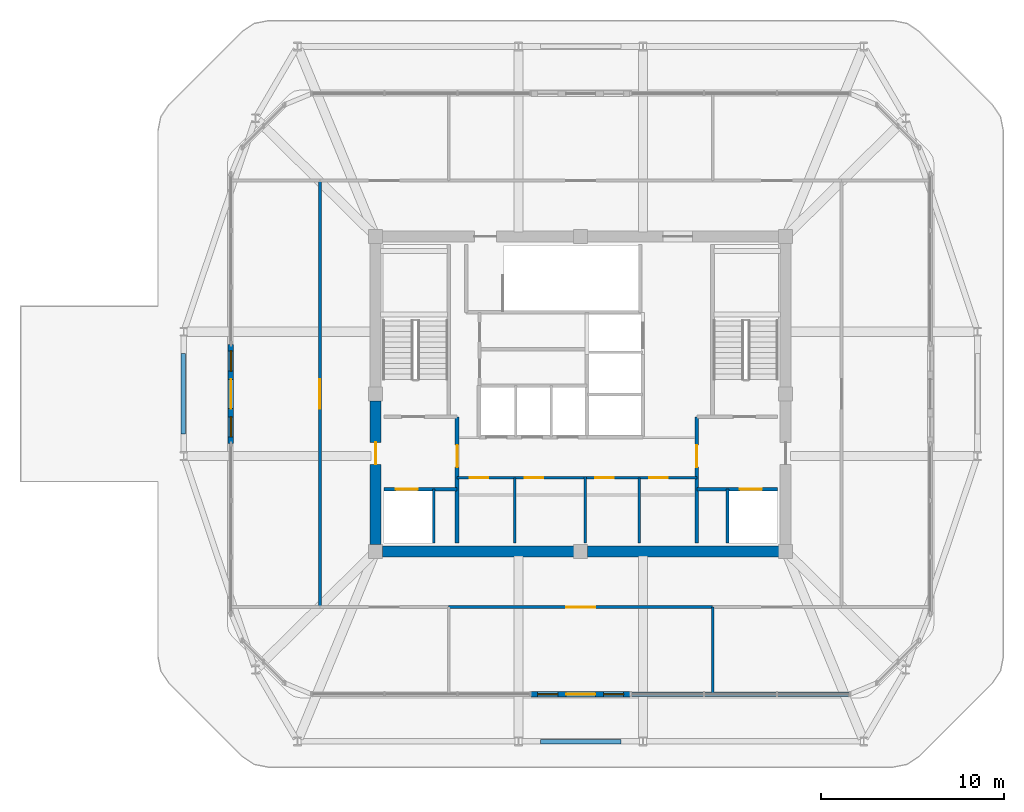
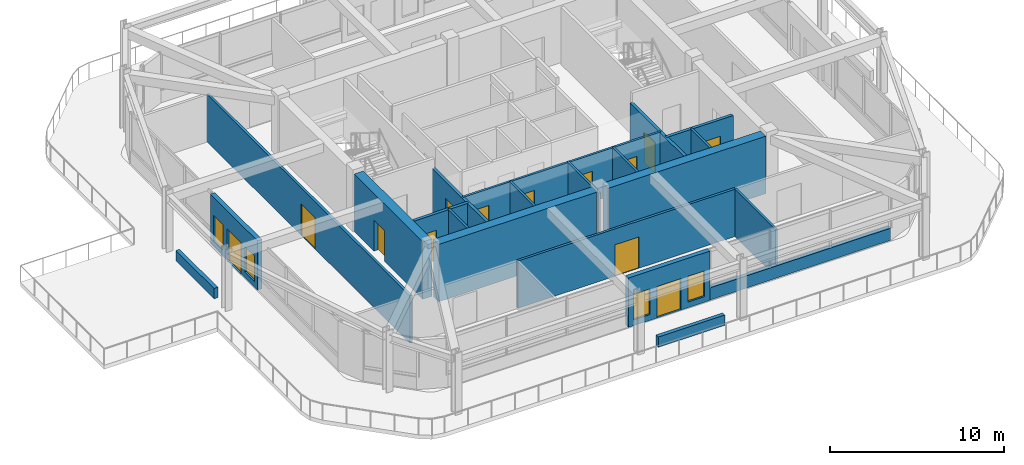
# One storey, part 5 of 10: 22 walls, 13 doors, 4 windows, 17 openings.
"""IFC4 building model written with IfcOpenShell, lengths in metres."""

from ifc_helpers import new_model, si_unit, derived_unit, direction, frame, frame_2d, origin, place, context, subcontext, project, spatial, rectangle, extrude, material, layer, layer_set, type_object, element, fill, save


model = new_model("IFC4")

# Units and contexts
model_context = context("Model", 3, precision=1e-05, world=origin(), true_north=direction((0.0, 1.0)))
body_context = subcontext(model_context, "Body", "Model", "MODEL_VIEW")
ifc_project = project(units=[si_unit("LENGTHUNIT", "METRE"), si_unit("AREAUNIT", "SQUARE_METRE"), si_unit("VOLUMEUNIT", "CUBIC_METRE"), si_unit("PLANEANGLEUNIT", "RADIAN"), si_unit("MASSUNIT", "GRAM", prefix="KILO"), derived_unit("THERMALTRANSMITTANCEUNIT", [(si_unit("POWERUNIT", "WATT"), 1), (si_unit("LENGTHUNIT", "METRE"), -2), (si_unit("THERMODYNAMICTEMPERATUREUNIT", "KELVIN"), -1)])], contexts=[model_context])

# Site, building, storey
site_placement = place(None, origin())
site = spatial("IfcSite", under=ifc_project, at=site_placement, CompositionType="ELEMENT")
building_placement = place(site_placement, origin())
building = spatial("IfcBuilding", under=site, at=building_placement, Name="Koralith Skygarden Medical Center", CompositionType="ELEMENT")
storey_placement = place(building_placement, frame((0.0, 0.0, 294.659912109375)))
storey = spatial("IfcBuildingStorey", under=building, at=storey_placement, Name="L76", CompositionType="ELEMENT", Elevation=294.659912109375)

# Wall, openings, doors
ifc_material_1 = material(Name="Gypsum Board Partition")
ifc_layer_1 = layer(ifc_material_1, 0.14990234375)
ifc_layer_set_1 = layer_set([ifc_layer_1], Name="Gypsum Board Partition")
wall_type_1 = type_object("IfcWallType", Name="Clinical Acoustic Partition 150", PredefinedType="PARTITIONING", material=ifc_layer_set_1)
wall_1_placement = place(storey_placement, frame((30.25, 21.320068359375, 0.0), z_axis=(0.0, 0.0, 1.0), x_axis=(1.0, 0.0, 0.0)))
wall_1 = element("IfcWall", 1, at=wall_1_placement, inside=storey, type_object=wall_type_1, Name="L76 Clinical Acoustic Partition 150 W-CORE-L76-FREED-LR-N", PredefinedType="PARTITIONING", context=body_context, shape_type="SweptSolid", body=[
    extrude(rectangle(XDim=7.0, YDim=0.14990234375, at=frame_2d((3.5, 0.0))), origin(), (0.0, 0.0, 1.0), 3.31005859375),
])
opening_1_placement = place(wall_1_placement, frame((0.699951171875, 0.0, 0.0)))
opening_1 = element("IfcOpeningElement", 2, at=opening_1_placement, cuts=wall_1, Name="Opening D-SUP", PredefinedType="OPENING", context=body_context, shape_type="SweptSolid", body=[
    extrude(rectangle(XDim=1.0, YDim=2.14990234375, at=frame_2d((0.5, 1.074951171875))), frame((0.0, 0.0849609375, 0.0), z_axis=(0.0, -1.0, 0.0), x_axis=(1.0, 0.0, 0.0)), (0.0, 0.0, 1.0), 0.169921875),
])
opening_2_placement = place(wall_1_placement, frame((3.699951171875, 0.0, 0.0)))
opening_2 = element("IfcOpeningElement", 3, at=opening_2_placement, cuts=wall_1, Name="Opening D-SUP", PredefinedType="OPENING", context=body_context, shape_type="SweptSolid", body=[
    extrude(rectangle(XDim=1.0, YDim=2.14990234375, at=frame_2d((0.5, 1.074951171875))), frame((0.0, 0.0849609375, 0.0), z_axis=(0.0, -1.0, 0.0), x_axis=(1.0, 0.0, 0.0)), (0.0, 0.0, 1.0), 0.169921875),
])
ifc_material_2 = material(Name="Aluminium 6063-T6", Category="aluminium")
door_type_1 = type_object("IfcDoorType", Name="Clinical Support Door D-SUP 1000", OperationType="NOTDEFINED", PredefinedType="DOOR", material=ifc_material_2)
door_1_placement = place(opening_1_placement, frame((1.0, 0.0, 0.0), z_axis=(0.0, 0.0, 1.0), x_axis=(-1.0, 0.0, 0.0)))
door_1 = element("IfcDoor", 4, at=door_1_placement, inside=storey, type_object=door_type_1, Name="L76 Medication Preparation Door", OperationType="SINGLE_SWING_LEFT", OverallHeight=2.14990234375, OverallWidth=1.0, PredefinedType="DOOR", context=body_context, shape_type="SweptSolid", body=[
    extrude(rectangle(XDim=1.0, YDim=2.14990234375, at=frame_2d((0.5, 1.074951171875))), frame((0.0, 0.02490234375, 0.0), z_axis=(0.0, -1.0, 0.0), x_axis=(1.0, 0.0, 0.0)), (0.0, 0.0, 1.0), 0.050048828125),
])
fill(opening_1, door_1)
door_2_placement = place(opening_2_placement, frame((1.0, 0.0, 0.0), z_axis=(0.0, 0.0, 1.0), x_axis=(-1.0, 0.0, 0.0)))
door_2 = element("IfcDoor", 5, at=door_2_placement, inside=storey, type_object=door_type_1, Name="L76 Telemetry Room Door", OperationType="SINGLE_SWING_RIGHT", OverallHeight=2.14990234375, OverallWidth=1.0, PredefinedType="DOOR", context=body_context, shape_type="SweptSolid", body=[
    extrude(rectangle(XDim=1.0, YDim=2.14990234375, at=frame_2d((0.5, 1.074951171875))), frame((0.0, 0.02490234375, 0.0), z_axis=(0.0, -1.0, 0.0), x_axis=(1.0, 0.0, 0.0)), (0.0, 0.0, 1.0), 0.050048828125),
])
fill(opening_2, door_2)

# Wall
wall_2_placement = place(storey_placement, frame((33.39990234375, 17.75, 0.0), z_axis=(0.0, 0.0, 1.0), x_axis=(0.0, 1.0, 0.0)))
element("IfcWall", 6, at=wall_2_placement, inside=storey, type_object=wall_type_1, Name="L76 Clinical Acoustic Partition 150 W-CORE-L76-FREED-LR-M", PredefinedType="PARTITIONING", context=body_context, shape_type="SweptSolid", body=[
    extrude(rectangle(XDim=3.570068359375, YDim=0.14990234375, at=frame_2d((1.78515625, 0.0))), origin(), (0.0, 0.0, 1.0), 3.31005859375),
])

# Wall, openings, doors
wall_3_placement = place(storey_placement, frame((37.25, 21.320068359375, 0.0), z_axis=(0.0, 0.0, 1.0), x_axis=(1.0, 0.0, 0.0)))
wall_3 = element("IfcWall", 7, at=wall_3_placement, inside=storey, type_object=wall_type_1, Name="L76 Clinical Acoustic Partition 150 W-CORE-L76-FREED-MR-N", PredefinedType="PARTITIONING", context=body_context, shape_type="SweptSolid", body=[
    extrude(rectangle(XDim=6.10009765625, YDim=0.14990234375, at=frame_2d((3.050048828125, 0.0))), origin(), (0.0, 0.0, 1.0), 3.31005859375),
])
opening_3_placement = place(wall_3_placement, frame((0.550048828125, 0.0, 0.0)))
opening_3 = element("IfcOpeningElement", 8, at=opening_3_placement, cuts=wall_3, Name="Opening D-SUP", PredefinedType="OPENING", context=body_context, shape_type="SweptSolid", body=[
    extrude(rectangle(XDim=1.0, YDim=2.14990234375, at=frame_2d((0.5, 1.074951171875))), frame((0.0, 0.0849609375, 0.0), z_axis=(0.0, -1.0, 0.0), x_axis=(1.0, 0.0, 0.0)), (0.0, 0.0, 1.0), 0.169921875),
])
opening_4_placement = place(wall_3_placement, frame((3.5, 0.0, 0.0)))
opening_4 = element("IfcOpeningElement", 9, at=opening_4_placement, cuts=wall_3, Name="Opening D-SUP", PredefinedType="OPENING", context=body_context, shape_type="SweptSolid", body=[
    extrude(rectangle(XDim=1.0, YDim=2.14990234375, at=frame_2d((0.5, 1.074951171875))), frame((0.0, 0.0849609375, 0.0), z_axis=(0.0, -1.0, 0.0), x_axis=(1.0, 0.0, 0.0)), (0.0, 0.0, 1.0), 0.169921875),
])
door_3_placement = place(opening_3_placement, frame((1.0, 0.0, 0.0), z_axis=(0.0, 0.0, 1.0), x_axis=(-1.0, 0.0, 0.0)))
door_3 = element("IfcDoor", 10, at=door_3_placement, inside=storey, type_object=door_type_1, Name="L76 Satellite Pharmacy Door", OperationType="SINGLE_SWING_LEFT", OverallHeight=2.14990234375, OverallWidth=1.0, PredefinedType="DOOR", context=body_context, shape_type="SweptSolid", body=[
    extrude(rectangle(XDim=1.0, YDim=2.14990234375, at=frame_2d((0.5, 1.074951171875))), frame((0.0, 0.02490234375, 0.0), z_axis=(0.0, -1.0, 0.0), x_axis=(1.0, 0.0, 0.0)), (0.0, 0.0, 1.0), 0.050048828125),
])
fill(opening_3, door_3)
door_4_placement = place(opening_4_placement, frame((1.0, 0.0, 0.0), z_axis=(0.0, 0.0, 1.0), x_axis=(-1.0, 0.0, 0.0)))
door_4 = element("IfcDoor", 11, at=door_4_placement, inside=storey, type_object=door_type_1, Name="L76 Biomedical Equipment Door", OperationType="SINGLE_SWING_RIGHT", OverallHeight=2.14990234375, OverallWidth=1.0, PredefinedType="DOOR", context=body_context, shape_type="SweptSolid", body=[
    extrude(rectangle(XDim=1.0, YDim=2.14990234375, at=frame_2d((0.5, 1.074951171875))), frame((0.0, 0.02490234375, 0.0), z_axis=(0.0, -1.0, 0.0), x_axis=(1.0, 0.0, 0.0)), (0.0, 0.0, 1.0), 0.050048828125),
])
fill(opening_4, door_4)

# Walls
wall_4_placement = place(storey_placement, frame((40.199951171875, 17.75, 0.0), z_axis=(0.0, 0.0, 1.0), x_axis=(0.0, 1.0, 0.0)))
element("IfcWall", 12, at=wall_4_placement, inside=storey, type_object=wall_type_1, Name="L76 Clinical Acoustic Partition 150 W-CORE-L76-FREED-MR-M", PredefinedType="PARTITIONING", context=body_context, shape_type="SweptSolid", body=[
    extrude(rectangle(XDim=3.570068359375, YDim=0.14990234375, at=frame_2d((1.78515625, 0.0))), origin(), (0.0, 0.0, 1.0), 3.31005859375),
])
wall_5_placement = place(storey_placement, frame((44.2119140625, 14.25, 0.0), z_axis=(0.0, 0.0, 1.0), x_axis=(0.0, -1.0, 0.0)))
element("IfcWall", 13, at=wall_5_placement, inside=storey, type_object=wall_type_1, Name="L76 Clinical Acoustic Partition 150 W-CRPART-L76-S-2", PredefinedType="PARTITIONING", context=body_context, shape_type="SweptSolid", body=[
    extrude(rectangle(XDim=4.72998046875, YDim=0.14990234375, at=frame_2d((2.364990234375, 0.0))), origin(), (0.0, 0.0, 1.0), 3.31005859375),
])

# Wall, opening, door
ifc_layer_2 = layer(ifc_material_1, 0.1650390625)
ifc_layer_set_2 = layer_set([ifc_layer_2], Name="Gypsum Board Partition")
wall_type_2 = type_object("IfcWallType", Name="Clinical Corridor Partition 165", PredefinedType="PARTITIONING", material=ifc_layer_set_2)
wall_6_placement = place(storey_placement, frame((29.7880859375, 14.25, 0.0), z_axis=(0.0, 0.0, 1.0), x_axis=(1.0, 0.0, 0.0)))
wall_6 = element("IfcWall", 14, at=wall_6_placement, inside=storey, type_object=wall_type_2, Name="L76 Clinical Corridor Partition 165 W-CRCOR-L76-S-2", PredefinedType="PARTITIONING", context=body_context, shape_type="SweptSolid", body=[
    extrude(rectangle(XDim=14.423828125, YDim=0.1650390625, at=frame_2d((7.2119140625, 0.0))), origin(), (0.0, 0.0, 1.0), 3.31005859375),
])
opening_5_placement = place(wall_6_placement, frame((6.412109375, 0.0, 0.0)))
opening_5 = element("IfcOpeningElement", 15, at=opening_5_placement, cuts=wall_6, Name="Opening D-DBL", PredefinedType="OPENING", context=body_context, shape_type="SweptSolid", body=[
    extrude(rectangle(XDim=1.60009765625, YDim=2.199951171875, at=frame_2d((0.800048828125, 1.10009765625))), frame((0.0, 0.092529296875, 0.0), z_axis=(0.0, -1.0, 0.0), x_axis=(1.0, 0.0, 0.0)), (0.0, 0.0, 1.0), 0.18505859375),
])
door_type_2 = type_object("IfcDoorType", Name="Double Clinical Suite Door D-DBL 1600", OperationType="NOTDEFINED", PredefinedType="DOOR", material=ifc_material_2)
door_5_placement = place(opening_5_placement, frame((1.60009765625, 0.0, 0.0), z_axis=(0.0, 0.0, 1.0), x_axis=(-1.0, 0.0, 0.0)))
door_5 = element("IfcDoor", 16, at=door_5_placement, inside=storey, type_object=door_type_2, Name="L76 Observation Concierge and Reception Hall Door", OperationType="DOUBLE_DOOR_SINGLE_SWING", OverallHeight=2.199951171875, OverallWidth=1.60009765625, PredefinedType="DOOR", context=body_context, shape_type="SweptSolid", body=[
    extrude(rectangle(XDim=1.60009765625, YDim=2.199951171875, at=frame_2d((0.800048828125, 1.10009765625))), frame((0.0, 0.02490234375, 0.0), z_axis=(0.0, -1.0, 0.0), x_axis=(1.0, 0.0, 0.0)), (0.0, 0.0, 1.0), 0.050048828125),
])
fill(opening_5, door_5)

wall_7_placement = place(storey_placement, frame((22.75, 14.25, 0.0), z_axis=(0.0, 0.0, 1.0), x_axis=(0.0, 1.0, 0.0)))
wall_7 = element("IfcWall", 17, at=wall_7_placement, inside=storey, type_object=wall_type_2, Name="L76 Clinical Corridor Partition 165 W-CRCOR-L76-W-1", PredefinedType="PARTITIONING", context=body_context, shape_type="SweptSolid", body=[
    extrude(rectangle(XDim=23.300048828125, YDim=0.1650390625, at=frame_2d((11.64990234375, 0.0))), origin(), (0.0, 0.0, 1.0), 3.31005859375),
])
opening_6_placement = place(wall_7_placement, frame((10.85009765625, 0.0, 0.0)))
opening_6 = element("IfcOpeningElement", 18, at=opening_6_placement, cuts=wall_7, Name="Opening D-DBL", PredefinedType="OPENING", context=body_context, shape_type="SweptSolid", body=[
    extrude(rectangle(XDim=1.60009765625, YDim=2.199951171875, at=frame_2d((0.800048828125, 1.10009765625))), frame((0.0, 0.092529296875, 0.0), z_axis=(0.0, -1.0, 0.0), x_axis=(1.0, 0.0, 0.0)), (0.0, 0.0, 1.0), 0.18505859375),
])
door_6_placement = place(opening_6_placement, frame((1.60009765625, 0.0, 0.0), z_axis=(0.0, 0.0, 1.0), x_axis=(-1.0, 0.0, 0.0)))
door_6 = element("IfcDoor", 19, at=door_6_placement, inside=storey, type_object=door_type_2, Name="L76 West Horizon Lookout Lounge Door", OperationType="DOUBLE_DOOR_SINGLE_SWING", OverallHeight=2.199951171875, OverallWidth=1.60009765625, PredefinedType="DOOR", context=body_context, shape_type="SweptSolid", body=[
    extrude(rectangle(XDim=1.60009765625, YDim=2.199951171875, at=frame_2d((0.800048828125, 1.10009765625))), frame((0.0, 0.02490234375, 0.0), z_axis=(0.0, -1.0, 0.0), x_axis=(1.0, 0.0, 0.0)), (0.0, 0.0, 1.0), 0.050048828125),
])
fill(opening_6, door_6)

ifc_layer_3 = layer(ifc_material_1, 0.199951171875)
ifc_layer_set_3 = layer_set([ifc_layer_3], Name="Gypsum Board Partition")
wall_type_3 = type_object("IfcWallType", Name="Fire Shaft Wall 200", PredefinedType="SOLIDWALL", material=ifc_layer_set_3)
wall_8_placement = place(storey_placement, frame((26.25, 20.699951171875, 0.0), z_axis=(0.0, 0.0, 1.0), x_axis=(1.0, 0.0, 0.0)))
wall_8 = element("IfcWall", 20, at=wall_8_placement, inside=storey, type_object=wall_type_3, Name="L76 Fire Shaft Wall 200 W-CORE-L76-FF1-N", PredefinedType="SOLIDWALL", context=body_context, shape_type="SweptSolid", body=[
    extrude(rectangle(XDim=4.0, YDim=0.199951171875, at=frame_2d((2.0, 0.0))), origin(), (0.0, 0.0, 1.0), 3.31005859375),
])
opening_7_placement = place(wall_8_placement, frame((0.64990234375, 0.0, 0.0)))
opening_7 = element("IfcOpeningElement", 21, at=opening_7_placement, cuts=wall_8, Name="Opening LD-FF", PredefinedType="OPENING", context=body_context, shape_type="SweptSolid", body=[
    extrude(rectangle(XDim=1.199951171875, YDim=2.14990234375, at=frame_2d((0.60009765625, 1.074951171875))), frame((0.0, 0.10986328125, 0.0), z_axis=(0.0, -1.0, 0.0), x_axis=(1.0, 0.0, 0.0)), (0.0, 0.0, 1.0), 0.219970703125),
])
ifc_material_3 = material(Name="Steel ASTM A500 Grade C", Category="steel")
door_type_3 = type_object("IfcDoorType", Name="Fire Lift Sliding Landing Door LD-FF 1200", OperationType="NOTDEFINED", PredefinedType="DOOR", material=ifc_material_3)
door_7_placement = place(opening_7_placement, origin())
door_7 = element("IfcDoor", 22, at=door_7_placement, inside=storey, type_object=door_type_3, Name="L76 Fire Service Elevator FF1 Landing Door", OperationType="SLIDING_TO_LEFT", OverallHeight=2.14990234375, OverallWidth=1.199951171875, PredefinedType="DOOR", context=body_context, shape_type="SweptSolid", body=[
    extrude(rectangle(XDim=1.199951171875, YDim=2.14990234375, at=frame_2d((0.60009765625, 1.074951171875))), frame((0.0, 0.02490234375, 0.0), z_axis=(0.0, -1.0, 0.0), x_axis=(1.0, 0.0, 0.0)), (0.0, 0.0, 1.0), 0.050048828125),
])
fill(opening_7, door_7)

wall_9_placement = place(storey_placement, frame((30.25, 17.75, 0.0), z_axis=(0.0, 0.0, 1.0), x_axis=(0.0, 1.0, 0.0)))
wall_9 = element("IfcWall", 23, at=wall_9_placement, inside=storey, type_object=wall_type_3, Name="L76 Fire Shaft Wall 200 W-CORE-L76-FSAEW-E", PredefinedType="SOLIDWALL", context=body_context, shape_type="SweptSolid", body=[
    extrude(rectangle(XDim=6.89990234375, YDim=0.199951171875, at=frame_2d((3.449951171875, 0.0))), origin(), (0.0, 0.0, 1.0), 3.31005859375),
])
opening_8_placement = place(wall_9_placement, frame((4.14990234375, 0.0, 0.0)))
opening_8 = element("IfcOpeningElement", 24, at=opening_8_placement, cuts=wall_9, Name="Opening D-ST60", PredefinedType="OPENING", context=body_context, shape_type="SweptSolid", body=[
    extrude(rectangle(XDim=1.199951171875, YDim=2.14990234375, at=frame_2d((0.60009765625, 1.074951171875))), frame((0.0, 0.10986328125, 0.0), z_axis=(0.0, -1.0, 0.0), x_axis=(1.0, 0.0, 0.0)), (0.0, 0.0, 1.0), 0.219970703125),
])
door_type_4 = type_object("IfcDoorType", Name="Smokeproof Stair Fire Door FD60S 1200", OperationType="NOTDEFINED", PredefinedType="DOOR", material=ifc_material_3)
door_8_placement = place(opening_8_placement, origin())
door_8 = element("IfcDoor", 25, at=door_8_placement, inside=storey, type_object=door_type_4, Name="L76 West Firefighting Lobby Inner Fire Door", OperationType="SINGLE_SWING_LEFT", OverallHeight=2.14990234375, OverallWidth=1.199951171875, PredefinedType="DOOR", context=body_context, shape_type="SweptSolid", body=[
    extrude(rectangle(XDim=1.199951171875, YDim=2.14990234375, at=frame_2d((0.60009765625, 1.074951171875))), frame((0.0, 0.02490234375, 0.0), z_axis=(0.0, -1.0, 0.0), x_axis=(1.0, 0.0, 0.0)), (0.0, 0.0, 1.0), 0.050048828125),
])
fill(opening_8, door_8)

wall_10_placement = place(storey_placement, frame((43.35009765625, 20.699951171875, 0.0), z_axis=(0.0, 0.0, 1.0), x_axis=(1.0, 0.0, 0.0)))
wall_10 = element("IfcWall", 26, at=wall_10_placement, inside=storey, type_object=wall_type_3, Name="L76 Fire Shaft Wall 200 W-CORE-L76-FF2-N", PredefinedType="SOLIDWALL", context=body_context, shape_type="SweptSolid", body=[
    extrude(rectangle(XDim=4.39990234375, YDim=0.199951171875, at=frame_2d((2.199951171875, 0.0))), origin(), (0.0, 0.0, 1.0), 3.31005859375),
])
opening_9_placement = place(wall_10_placement, frame((2.35009765625, 0.0, 0.0)))
opening_9 = element("IfcOpeningElement", 27, at=opening_9_placement, cuts=wall_10, Name="Opening LD-FF", PredefinedType="OPENING", context=body_context, shape_type="SweptSolid", body=[
    extrude(rectangle(XDim=1.199951171875, YDim=2.14990234375, at=frame_2d((0.60009765625, 1.074951171875))), frame((0.0, 0.10986328125, 0.0), z_axis=(0.0, -1.0, 0.0), x_axis=(1.0, 0.0, 0.0)), (0.0, 0.0, 1.0), 0.219970703125),
])
door_9_placement = place(opening_9_placement, origin())
door_9 = element("IfcDoor", 28, at=door_9_placement, inside=storey, type_object=door_type_3, Name="L76 Fire Service Elevator FF2 Landing Door", OperationType="SLIDING_TO_RIGHT", OverallHeight=2.14990234375, OverallWidth=1.199951171875, PredefinedType="DOOR", context=body_context, shape_type="SweptSolid", body=[
    extrude(rectangle(XDim=1.199951171875, YDim=2.14990234375, at=frame_2d((0.60009765625, 1.074951171875))), frame((0.0, 0.02490234375, 0.0), z_axis=(0.0, -1.0, 0.0), x_axis=(1.0, 0.0, 0.0)), (0.0, 0.0, 1.0), 0.050048828125),
])
fill(opening_9, door_9)

wall_11_placement = place(storey_placement, frame((43.35009765625, 17.75, 0.0), z_axis=(0.0, 0.0, 1.0), x_axis=(0.0, 1.0, 0.0)))
wall_11 = element("IfcWall", 29, at=wall_11_placement, inside=storey, type_object=wall_type_3, Name="L76 Fire Shaft Wall 200 W-CORE-L76-FSAEE-W", PredefinedType="SOLIDWALL", context=body_context, shape_type="SweptSolid", body=[
    extrude(rectangle(XDim=6.89990234375, YDim=0.199951171875, at=frame_2d((3.449951171875, 0.0))), origin(), (0.0, 0.0, 1.0), 3.31005859375),
])
opening_10_placement = place(wall_11_placement, frame((4.14990234375, 0.0, 0.0)))
opening_10 = element("IfcOpeningElement", 30, at=opening_10_placement, cuts=wall_11, Name="Opening D-ST60", PredefinedType="OPENING", context=body_context, shape_type="SweptSolid", body=[
    extrude(rectangle(XDim=1.199951171875, YDim=2.14990234375, at=frame_2d((0.60009765625, 1.074951171875))), frame((0.0, 0.10986328125, 0.0), z_axis=(0.0, -1.0, 0.0), x_axis=(1.0, 0.0, 0.0)), (0.0, 0.0, 1.0), 0.219970703125),
])
door_10_placement = place(opening_10_placement, frame((1.199951171875, 0.0, 0.0), z_axis=(0.0, 0.0, 1.0), x_axis=(-1.0, 0.0, 0.0)))
door_10 = element("IfcDoor", 31, at=door_10_placement, inside=storey, type_object=door_type_4, Name="L76 East Firefighting Lobby Inner Fire Door", OperationType="SINGLE_SWING_RIGHT", OverallHeight=2.14990234375, OverallWidth=1.199951171875, PredefinedType="DOOR", context=body_context, shape_type="SweptSolid", body=[
    extrude(rectangle(XDim=1.199951171875, YDim=2.14990234375, at=frame_2d((0.60009765625, 1.074951171875))), frame((0.0, 0.02490234375, 0.0), z_axis=(0.0, -1.0, 0.0), x_axis=(1.0, 0.0, 0.0)), (0.0, 0.0, 1.0), 0.050048828125),
])
fill(opening_10, door_10)

# Wall
ifc_material_4 = material(Name="Warm Oolitic Limestone Cladding", Category="masonry")
ifc_layer_4 = layer(ifc_material_4, 0.239990234375)
ifc_layer_set_4 = layer_set([ifc_layer_4], Name="Warm Oolitic Limestone Cladding")
wall_type_4 = type_object("IfcWallType", Name="Limestone Spandrel Sill Backup Wall 240", PredefinedType="SOLIDWALL", material=ifc_layer_set_4)
wall_12_placement = place(storey_placement, frame((39.739990234375, 9.5, 0.0), z_axis=(0.0, 0.0, 1.0), x_axis=(1.0, 0.0, 0.0)))
element("IfcWall", 32, at=wall_12_placement, inside=storey, type_object=wall_type_4, Name="L76 Sill Spandrel S-R", PredefinedType="SOLIDWALL", context=body_context, shape_type="SweptSolid", body=[
    extrude(rectangle(XDim=11.967041015625, YDim=0.239990234375, at=frame_2d((5.9833984375, 0.0))), origin(), (0.0, 0.0, 1.0), 0.85009765625),
])

# Wall, openings, door, windows
ifc_layer_5 = layer(ifc_material_4, 0.300048828125)
ifc_layer_set_5 = layer_set([ifc_layer_5], Name="Warm Oolitic Limestone Cladding")
wall_type_5 = type_object("IfcWallType", Name="Oolitic Limestone Insulated Facade Wall 300", PredefinedType="SOLIDWALL", material=ifc_layer_set_5)
wall_13_placement = place(storey_placement, frame((34.300048828125, 9.5, 0.0), z_axis=(0.0, 0.0, 1.0), x_axis=(1.0, 0.0, 0.0)))
wall_13 = element("IfcWall", 33, at=wall_13_placement, inside=storey, type_object=wall_type_5, Name="L76 Terrace Portal Wall S", PredefinedType="SOLIDWALL", context=body_context, shape_type="SweptSolid", body=[
    extrude(rectangle(XDim=5.39990234375, YDim=0.300048828125, at=frame_2d((2.699951171875, 0.0))), origin(), (0.0, 0.0, 1.0), 3.460205078125),
])
opening_11_placement = place(wall_13_placement, frame((1.89990234375, 0.0, 0.0)))
opening_11 = element("IfcOpeningElement", 34, at=opening_11_placement, cuts=wall_13, Name="Opening D-OBS", PredefinedType="OPENING", context=body_context, shape_type="SweptSolid", body=[
    extrude(rectangle(XDim=1.60009765625, YDim=2.199951171875, at=frame_2d((0.800048828125, 1.10009765625))), frame((0.0, 0.159912109375, 0.0), z_axis=(0.0, -1.0, 0.0), x_axis=(1.0, 0.0, 0.0)), (0.0, 0.0, 1.0), 0.320068359375),
])
opening_12_placement = place(wall_13_placement, frame((0.35009765625, 0.0, 0.39990234375)))
opening_12 = element("IfcOpeningElement", 35, at=opening_12_placement, cuts=wall_13, Name="Opening W-04", PredefinedType="OPENING", context=body_context, shape_type="SweptSolid", body=[
    extrude(rectangle(XDim=1.10009765625, YDim=1.800048828125, at=frame_2d((0.550048828125, 0.89990234375))), frame((0.0, 0.159912109375, 0.0), z_axis=(0.0, -1.0, 0.0), x_axis=(1.0, 0.0, 0.0)), (0.0, 0.0, 1.0), 0.320068359375),
])
opening_13_placement = place(wall_13_placement, frame((3.949951171875, 0.0, 0.39990234375)))
opening_13 = element("IfcOpeningElement", 36, at=opening_13_placement, cuts=wall_13, Name="Opening W-04", PredefinedType="OPENING", context=body_context, shape_type="SweptSolid", body=[
    extrude(rectangle(XDim=1.10009765625, YDim=1.800048828125, at=frame_2d((0.550048828125, 0.89990234375))), frame((0.0, 0.159912109375, 0.0), z_axis=(0.0, -1.0, 0.0), x_axis=(1.0, 0.0, 0.0)), (0.0, 0.0, 1.0), 0.320068359375),
])
door_type_5 = type_object("IfcDoorType", Name="Observation Deck Terrace Door D-OBS 1600", OperationType="NOTDEFINED", PredefinedType="DOOR", material=ifc_material_2)
door_11_placement = place(opening_11_placement, origin())
door_11 = element("IfcDoor", 37, at=door_11_placement, inside=storey, type_object=door_type_5, Name="L76 S Outdoor Terrace Access Door", OperationType="DOUBLE_DOOR_SINGLE_SWING", OverallHeight=2.199951171875, OverallWidth=1.60009765625, PredefinedType="DOOR", context=body_context, shape_type="SweptSolid", body=[
    extrude(rectangle(XDim=1.60009765625, YDim=2.199951171875, at=frame_2d((0.800048828125, 1.10009765625))), frame((0.0, 0.02490234375, 0.0), z_axis=(0.0, -1.0, 0.0), x_axis=(1.0, 0.0, 0.0)), (0.0, 0.0, 1.0), 0.050048828125),
])
fill(opening_11, door_11)
ifc_material_5 = material(Name="Clear Laminated Glass", Category="glass")
window_type = type_object("IfcWindowType", Name="Sky-Garden Portal Sidelight Window W-04 1100x1800", PartitioningType="SINGLE_PANEL", PredefinedType="WINDOW", material=ifc_material_5)
window_1_placement = place(opening_12_placement, origin())
window_1 = element("IfcWindow", 38, at=window_1_placement, inside=storey, type_object=window_type, Name="L76 S Portal Sidelight 1", OverallHeight=1.800048828125, OverallWidth=1.10009765625, PartitioningType="SINGLE_PANEL", PredefinedType="WINDOW", context=body_context, shape_type="SweptSolid", body=[
    extrude(rectangle(XDim=1.10009765625, YDim=1.800048828125, at=frame_2d((0.550048828125, 0.89990234375))), frame((0.0, 0.030029296875, 0.0), z_axis=(0.0, -1.0, 0.0), x_axis=(1.0, 0.0, 0.0)), (0.0, 0.0, 1.0), 0.06005859375),
])
fill(opening_12, window_1)
window_2_placement = place(opening_13_placement, origin())
window_2 = element("IfcWindow", 39, at=window_2_placement, inside=storey, type_object=window_type, Name="L76 S Portal Sidelight 2", OverallHeight=1.800048828125, OverallWidth=1.10009765625, PartitioningType="SINGLE_PANEL", PredefinedType="WINDOW", context=body_context, shape_type="SweptSolid", body=[
    extrude(rectangle(XDim=1.10009765625, YDim=1.800048828125, at=frame_2d((0.550048828125, 0.89990234375))), frame((0.0, 0.030029296875, 0.0), z_axis=(0.0, -1.0, 0.0), x_axis=(1.0, 0.0, 0.0)), (0.0, 0.0, 1.0), 0.06005859375),
])
fill(opening_13, window_2)

wall_14_placement = place(storey_placement, frame((17.89990234375, 28.60009765625, 0.0), z_axis=(0.0, 0.0, 1.0), x_axis=(0.0, -1.0, 0.0)))
wall_14 = element("IfcWall", 40, at=wall_14_placement, inside=storey, type_object=wall_type_5, Name="L76 Terrace Portal Wall W", PredefinedType="SOLIDWALL", context=body_context, shape_type="SweptSolid", body=[
    extrude(rectangle(XDim=5.400146484375, YDim=0.300048828125, at=frame_2d((2.7001953125, 0.0))), origin(), (0.0, 0.0, 1.0), 3.460205078125),
])
opening_14_placement = place(wall_14_placement, frame((1.89990234375, 0.0, 0.0)))
opening_14 = element("IfcOpeningElement", 41, at=opening_14_placement, cuts=wall_14, Name="Opening D-OBS", PredefinedType="OPENING", context=body_context, shape_type="SweptSolid", body=[
    extrude(rectangle(XDim=1.60009765625, YDim=2.199951171875, at=frame_2d((0.800048828125, 1.10009765625))), frame((0.0, 0.159912109375, 0.0), z_axis=(0.0, -1.0, 0.0), x_axis=(1.0, 0.0, 0.0)), (0.0, 0.0, 1.0), 0.320068359375),
])
opening_15_placement = place(wall_14_placement, frame((0.35009765625, 0.0, 0.39990234375)))
opening_15 = element("IfcOpeningElement", 42, at=opening_15_placement, cuts=wall_14, Name="Opening W-04", PredefinedType="OPENING", context=body_context, shape_type="SweptSolid", body=[
    extrude(rectangle(XDim=1.10009765625, YDim=1.800048828125, at=frame_2d((0.550048828125, 0.89990234375))), frame((0.0, 0.159912109375, 0.0), z_axis=(0.0, -1.0, 0.0), x_axis=(1.0, 0.0, 0.0)), (0.0, 0.0, 1.0), 0.320068359375),
])
opening_16_placement = place(wall_14_placement, frame((3.949951171875, 0.0, 0.39990234375)))
opening_16 = element("IfcOpeningElement", 43, at=opening_16_placement, cuts=wall_14, Name="Opening W-04", PredefinedType="OPENING", context=body_context, shape_type="SweptSolid", body=[
    extrude(rectangle(XDim=1.10009765625, YDim=1.800048828125, at=frame_2d((0.550048828125, 0.89990234375))), frame((0.0, 0.159912109375, 0.0), z_axis=(0.0, -1.0, 0.0), x_axis=(1.0, 0.0, 0.0)), (0.0, 0.0, 1.0), 0.320068359375),
])
door_12_placement = place(opening_14_placement, origin())
door_12 = element("IfcDoor", 44, at=door_12_placement, inside=storey, type_object=door_type_5, Name="L76 W Outdoor Terrace Access Door", OperationType="DOUBLE_DOOR_SINGLE_SWING", OverallHeight=2.199951171875, OverallWidth=1.60009765625, PredefinedType="DOOR", context=body_context, shape_type="SweptSolid", body=[
    extrude(rectangle(XDim=1.60009765625, YDim=2.199951171875, at=frame_2d((0.800048828125, 1.10009765625))), frame((0.0, 0.02490234375, 0.0), z_axis=(0.0, -1.0, 0.0), x_axis=(1.0, 0.0, 0.0)), (0.0, 0.0, 1.0), 0.050048828125),
])
fill(opening_14, door_12)
window_3_placement = place(opening_15_placement, origin())
window_3 = element("IfcWindow", 45, at=window_3_placement, inside=storey, type_object=window_type, Name="L76 W Portal Sidelight 1", OverallHeight=1.800048828125, OverallWidth=1.10009765625, PartitioningType="SINGLE_PANEL", PredefinedType="WINDOW", context=body_context, shape_type="SweptSolid", body=[
    extrude(rectangle(XDim=1.10009765625, YDim=1.800048828125, at=frame_2d((0.550048828125, 0.89990234375))), frame((0.0, 0.030029296875, 0.0), z_axis=(0.0, -1.0, 0.0), x_axis=(1.0, 0.0, 0.0)), (0.0, 0.0, 1.0), 0.06005859375),
])
fill(opening_15, window_3)
window_4_placement = place(opening_16_placement, origin())
window_4 = element("IfcWindow", 46, at=window_4_placement, inside=storey, type_object=window_type, Name="L76 W Portal Sidelight 2", OverallHeight=1.800048828125, OverallWidth=1.10009765625, PartitioningType="SINGLE_PANEL", PredefinedType="WINDOW", context=body_context, shape_type="SweptSolid", body=[
    extrude(rectangle(XDim=1.10009765625, YDim=1.800048828125, at=frame_2d((0.550048828125, 0.89990234375))), frame((0.0, 0.030029296875, 0.0), z_axis=(0.0, -1.0, 0.0), x_axis=(1.0, 0.0, 0.0)), (0.0, 0.0, 1.0), 0.06005859375),
])
fill(opening_16, window_4)

# Walls
ifc_layer_6 = layer(ifc_material_1, 0.14990234375)
ifc_layer_set_6 = layer_set([ifc_layer_6], Name="Gypsum Board Partition")
wall_type_6 = type_object("IfcWallType", Name="Shaft Partition Wall 150", PredefinedType="PARTITIONING", material=ifc_layer_set_6)
for number, where, z_axis, x_axis, name in (
    (47, (28.969970703125, 17.75, 0.0), (0.0, 0.0, 1.0), (0.0, 1.0, 0.0), "L76 Shaft Partition Wall 150 W-CORE-L76-RSRW-DIV"),
    (48, (45.02001953125, 17.75, 0.0), (0.0, 0.0, 1.0), (0.0, 1.0, 0.0), "L76 Shaft Partition Wall 150 W-CORE-L76-RSRE-DIV"),
):
    element("IfcWall", number, at=place(storey_placement, frame(where, z_axis=z_axis, x_axis=x_axis)), inside=storey, type_object=wall_type_6, Name=name, PredefinedType="PARTITIONING", context=body_context, shape_type="SweptSolid", body=[
        extrude(rectangle(XDim=2.949951171875, YDim=0.14990234375, at=frame_2d((1.47509765625, 0.0))), origin(), (0.0, 0.0, 1.0), 3.31005859375),
    ])
wall_15_placement = place(storey_placement, frame((37.25, 17.75, 0.0), z_axis=(0.0, 0.0, 1.0), x_axis=(0.0, 1.0, 0.0)))
element("IfcWall", 49, at=wall_15_placement, inside=storey, type_object=wall_type_6, Name="L76 Shaft Partition Wall 150 W-CORE-L76-PL-PM-SEP", PredefinedType="PARTITIONING", context=body_context, shape_type="SweptSolid", body=[
    extrude(rectangle(XDim=3.64990234375, YDim=0.14990234375, at=frame_2d((1.824951171875, 0.0))), origin(), (0.0, 0.0, 1.0), 3.31005859375),
])
ifc_material_6 = material(Name="Precast concrete C40/50", Category="concrete")
ifc_layer_7 = layer(ifc_material_6, 0.25)
ifc_layer_set_7 = layer_set([ifc_layer_7], Name="Precast concrete C40/50")
wall_type_7 = type_object("IfcWallType", Name="Structural Concrete Balcony Planter Kerb 250", PredefinedType="PARAPET", material=ifc_layer_set_7)
wall_16_placement = place(storey_placement, frame((34.800048828125, 6.89990234375, 0.0), z_axis=(0.0, 0.0, 1.0), x_axis=(1.0, 0.0, 0.0)))
element("IfcWall", 50, at=wall_16_placement, inside=storey, type_object=wall_type_7, Name="L76 Observation Deck Tree PLANTER S", PredefinedType="PARAPET", context=body_context, shape_type="SweptSolid", body=[
    extrude(rectangle(XDim=4.39990234375, YDim=0.25, at=frame_2d((2.199951171875, 0.0))), origin(), (0.0, 0.0, 1.0), 0.719970703125),
])
wall_17_placement = place(storey_placement, frame((15.300048828125, 28.10009765625, 0.0), z_axis=(0.0, 0.0, 1.0), x_axis=(0.0, -1.0, 0.0)))
element("IfcWall", 51, at=wall_17_placement, inside=storey, type_object=wall_type_7, Name="L76 Observation Deck Tree PLANTER W", PredefinedType="PARAPET", context=body_context, shape_type="SweptSolid", body=[
    extrude(rectangle(XDim=4.400146484375, YDim=0.25, at=frame_2d((2.2001953125, 0.0))), origin(), (0.0, 0.0, 1.0), 0.719970703125),
])
ifc_material_7 = material(Name="Concrete C55/67", Category="concrete")
ifc_layer_8 = layer(ifc_material_7, 0.60009765625)
ifc_layer_set_8 = layer_set([ifc_layer_8], Name="Concrete C55/67")
wall_type_8 = type_object("IfcWallType", Name="Upper Core Shear Wall 600", PredefinedType="SHEAR", material=ifc_layer_set_8)
for number, where, z_axis, x_axis, name in (
    (52, (26.175048828125, 17.300048828125, 0.0), (0.0, 0.0, 1.0), (1.0, 0.0, 0.0), "L76 Core Shear Wall Segment 1"),
    (53, (37.375, 17.300048828125, 0.0), (0.0, 0.0, 1.0), (1.0, 0.0, 0.0), "L76 Core Shear Wall Segment 2"),
):
    element("IfcWall", number, at=place(storey_placement, frame(where, z_axis=z_axis, x_axis=x_axis)), inside=storey, type_object=wall_type_8, Name=name, PredefinedType="SHEAR", context=body_context, shape_type="SweptSolid", body=[
        extrude(rectangle(XDim=10.449951171875, YDim=0.60009765625, at=frame_2d((5.22509765625, 0.0))), origin(), (0.0, 0.0, 1.0), 4.02001953125),
    ])

# Wall, opening, door
wall_18_placement = place(storey_placement, frame((25.800048828125, 25.52490234375, 0.0), z_axis=(0.0, 0.0, 1.0), x_axis=(0.0, -1.0, 0.0)))
wall_18 = element("IfcWall", 54, at=wall_18_placement, inside=storey, type_object=wall_type_8, Name="L76 Core Shear Wall Segment 8", PredefinedType="SHEAR", context=body_context, shape_type="SweptSolid", body=[
    extrude(rectangle(XDim=7.849853515625, YDim=0.60009765625, at=frame_2d((3.9248046875, 0.0))), origin(), (0.0, 0.0, 1.0), 4.02001953125),
])
opening_17_placement = place(wall_18_placement, frame((2.27490234375, 0.0, 0.0)))
opening_17 = element("IfcOpeningElement", 55, at=opening_17_placement, cuts=wall_18, Name="Opening D-ST60", PredefinedType="OPENING", context=body_context, shape_type="SweptSolid", body=[
    extrude(rectangle(XDim=1.199951171875, YDim=2.14990234375, at=frame_2d((0.60009765625, 1.074951171875))), frame((0.0, 0.31005859375, 0.0), z_axis=(0.0, -1.0, 0.0), x_axis=(1.0, 0.0, 0.0)), (0.0, 0.0, 1.0), 0.6201171875),
])
door_13_placement = place(opening_17_placement, frame((1.199951171875, 0.0, 0.0), z_axis=(0.0, 0.0, 1.0), x_axis=(-1.0, 0.0, 0.0)))
door_13 = element("IfcDoor", 56, at=door_13_placement, inside=storey, type_object=door_type_4, Name="L76 West Corridor to Firefighting Lobby Door", OperationType="SINGLE_SWING_LEFT", OverallHeight=2.14990234375, OverallWidth=1.199951171875, PredefinedType="DOOR", context=body_context, shape_type="SweptSolid", body=[
    extrude(rectangle(XDim=1.199951171875, YDim=2.14990234375, at=frame_2d((0.60009765625, 1.074951171875))), frame((0.0, 0.02490234375, 0.0), z_axis=(0.0, -1.0, 0.0), x_axis=(1.0, 0.0, 0.0)), (0.0, 0.0, 1.0), 0.050048828125),
])
fill(opening_17, door_13)

save(model, "model.ifc")
